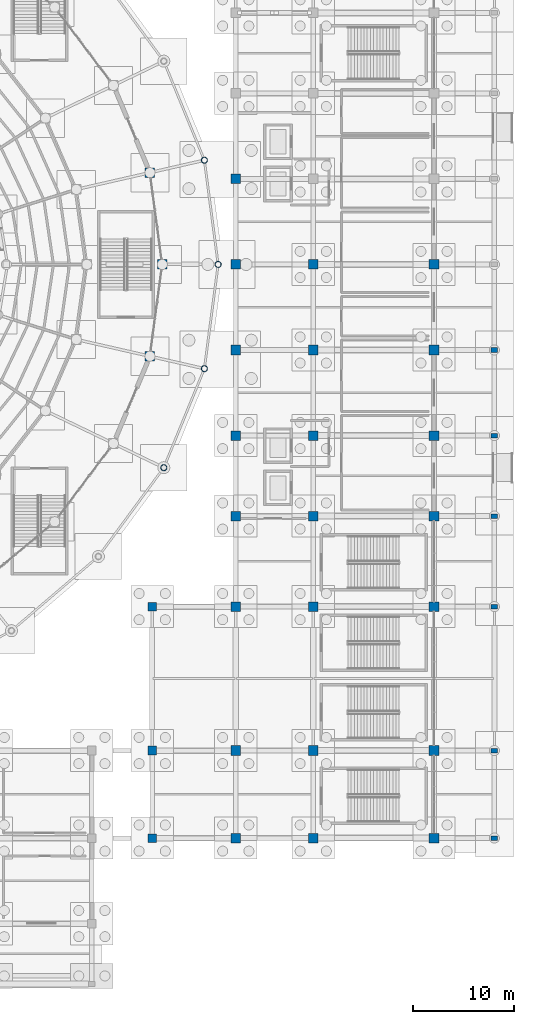
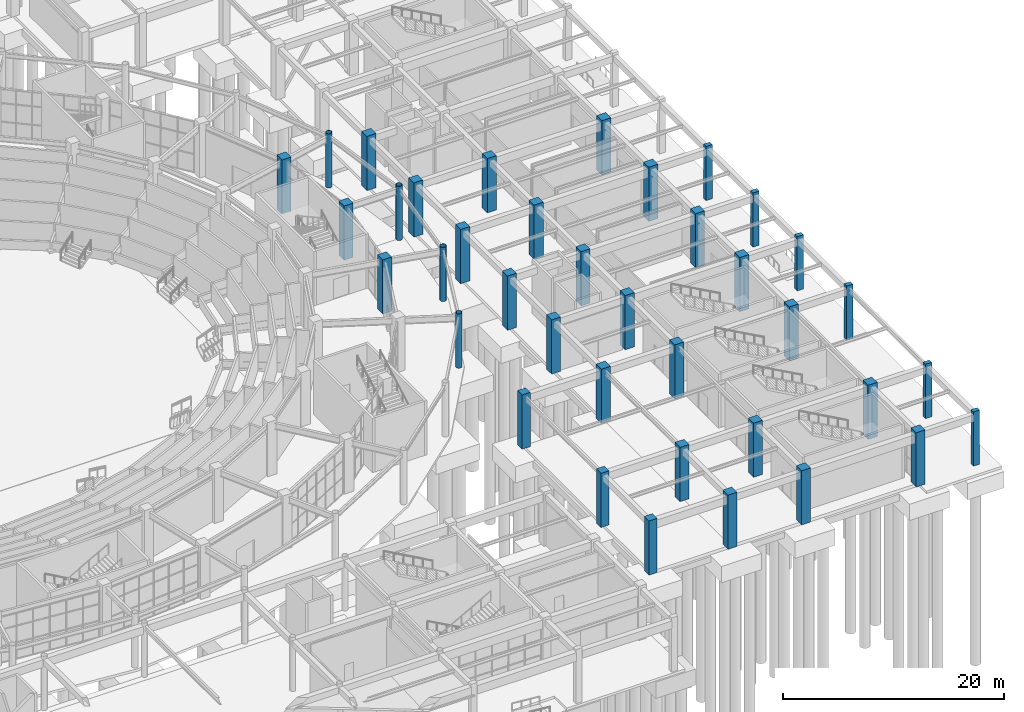
# One storey, part 18 of 121: 38 columns.
"""IFC4 building model written with IfcOpenShell, lengths in metres."""

from ifc_helpers import new_model, si_unit, direction, frame, origin, origin_2d, place, context, subcontext, project, spatial, rectangle, hollow_circle, extrude, material, material_profile, profile_set, type_object, element, save


model = new_model("IFC4")

# Units and contexts
model_context = context("Model", 3, precision=1e-05, world=origin(), true_north=direction((0.0, 1.0)))
body_context = subcontext(model_context, "Body", "Model", "MODEL_VIEW")
ifc_project = project(units=[si_unit("LENGTHUNIT", "METRE"), si_unit("AREAUNIT", "SQUARE_METRE"), si_unit("VOLUMEUNIT", "CUBIC_METRE"), si_unit("PLANEANGLEUNIT", "RADIAN"), si_unit("MASSUNIT", "GRAM", prefix="KILO")], contexts=[model_context])

# Site, building, storey
site_placement = place(None, origin())
site = spatial("IfcSite", under=ifc_project, at=site_placement, CompositionType="ELEMENT")
building_placement = place(site_placement, origin())
building = spatial("IfcBuilding", under=site, at=building_placement, Name="Cuetzalor Civic Arena", CompositionType="ELEMENT")
storey_placement = place(building_placement, origin())
storey = spatial("IfcBuildingStorey", under=building, at=storey_placement, Name="L00", CompositionType="ELEMENT", Elevation=0.0)

# Columns
ifc_material_1 = material(Name="Concrete C40/50", Category="concrete")
ifc_material_profile_1 = material_profile(ifc_material_1, rectangle(XDim=0.64990234375, YDim=0.449951171875, at=origin_2d()), Name="RC 650x450")
ifc_profile_set_1 = profile_set([ifc_material_profile_1], Name="Concrete C40/50")
column_type_1 = type_object("IfcColumnType", Name="ArcadePilaster_650x450", PredefinedType="PILASTER", material=ifc_profile_set_1)
for number, where, z_axis, x_axis, name in (
    (1, (82.0, -57.0, 0.0), (0.0, 0.0, 1.0), (1.0, 0.0, 0.0), "Column V4E-C-04-01 L00"),
    (2, (82.0, -48.300048828125, 0.0), (0.0, 0.0, 1.0), (1.0, 0.0, 0.0), "Column V4E-C-04-02 L00"),
    (3, (82.0, -34.0, 0.0), (0.0, 0.0, 1.0), (1.0, 0.0, 0.0), "Column V4E-C-04-03 L00"),
    (4, (82.0, -25.0, 0.0), (0.0, 0.0, 1.0), (1.0, 0.0, 0.0), "Column V4E-C-04-04 L00"),
    (5, (82.0, -17.0, 0.0), (0.0, 0.0, 1.0), (1.0, 0.0, 0.0), "Column V4E-C-04-05 L00"),
    (6, (82.0, -8.5, 0.0), (0.0, 0.0, 1.0), (1.0, 0.0, 0.0), "Column V4E-C-04-06 L00"),
):
    element("IfcColumn", number, at=place(storey_placement, frame(where, z_axis=z_axis, x_axis=x_axis)), inside=storey, type_object=column_type_1, Name=name, PredefinedType="PILASTER", context=body_context, shape_type="SweptSolid", body=[
        extrude(rectangle(XDim=0.64990234375, YDim=0.449951171875, at=origin_2d()), origin(), (0.0, 0.0, 1.0), 6.0),
    ])
ifc_material_2 = material(Name="Concrete C40/50", Category="concrete")
ifc_material_profile_2 = material_profile(ifc_material_2, rectangle(XDim=0.85009765625, YDim=0.85009765625, at=origin_2d()), Name="RC 850x850")
ifc_profile_set_2 = profile_set([ifc_material_profile_2], Name="Concrete C40/50")
column_type_2 = type_object("IfcColumnType", Name="ConcreteColumn_850", PredefinedType="COLUMN", material=ifc_profile_set_2)
for number, where, z_axis, x_axis, name in (
    (7, (48.0, -57.0, 0.0), (0.0, 0.0, 1.0), (1.0, 0.0, 0.0), "Column V4E-RET-01 L00"),
    (8, (48.0, -48.300048828125, 0.0), (0.0, 0.0, 1.0), (1.0, 0.0, 0.0), "Column V4E-RET-02 L00"),
    (9, (48.0, -34.0, 0.0), (0.0, 0.0, 1.0), (1.0, 0.0, 0.0), "Column V4E-RET-03 L00"),
):
    element("IfcColumn", number, at=place(storey_placement, frame(where, z_axis=z_axis, x_axis=x_axis)), inside=storey, type_object=column_type_2, Name=name, PredefinedType="COLUMN", context=body_context, shape_type="SweptSolid", body=[
        extrude(rectangle(XDim=0.85009765625, YDim=0.85009765625, at=origin_2d()), origin(), (0.0, 0.0, 1.0), 6.0),
    ])
ifc_material_3 = material(Name="Concrete C40/50", Category="concrete")
ifc_material_profile_3 = material_profile(ifc_material_3, rectangle(XDim=0.949951171875, YDim=0.949951171875, at=origin_2d()), Name="RC 950x950")
ifc_profile_set_3 = profile_set([ifc_material_profile_3], Name="Concrete C40/50")
column_type_3 = type_object("IfcColumnType", Name="ConcreteColumn_950", PredefinedType="COLUMN", material=ifc_profile_set_3)
for number, where, z_axis, x_axis, name in (
    (10, (49.0, 0.0, 0.0), (0.0, 0.0, 1.0), (1.0, 0.0, 0.0), "Column V1-REC-01 L00"),
    (11, (47.771484375, 9.123291015625, 0.0), (0.0, 0.0, 1.0), (1.0, 0.0, 0.0), "Column V1-REC-02 L00"),
    (12, (47.771484375, -9.123291015625, 0.0), (0.0, 0.0, 1.0), (1.0, 0.0, 0.0), "Column V1-REC-28 L00"),
    (13, (56.300048828125, -57.0, 0.0), (0.0, 0.0, 1.0), (1.0, 0.0, 0.0), "Column V4E-C-01-01 L00"),
    (14, (56.300048828125, -48.300048828125, 0.0), (0.0, 0.0, 1.0), (1.0, 0.0, 0.0), "Column V4E-C-01-02 L00"),
    (15, (56.300048828125, -34.0, 0.0), (0.0, 0.0, 1.0), (1.0, 0.0, 0.0), "Column V4E-C-01-03 L00"),
    (16, (56.300048828125, -25.0, 0.0), (0.0, 0.0, 1.0), (1.0, 0.0, 0.0), "Column V4E-C-01-04 L00"),
    (17, (56.300048828125, -17.0, 0.0), (0.0, 0.0, 1.0), (1.0, 0.0, 0.0), "Column V4E-C-01-05 L00"),
    (18, (56.300048828125, -8.5, 0.0), (0.0, 0.0, 1.0), (1.0, 0.0, 0.0), "Column V4E-C-01-06 L00"),
    (19, (56.300048828125, 0.0, 0.0), (0.0, 0.0, 1.0), (1.0, 0.0, 0.0), "Column V4E-C-01-07 L00"),
    (20, (56.300048828125, 8.5, 0.0), (0.0, 0.0, 1.0), (1.0, 0.0, 0.0), "Column V4E-C-01-08 L00"),
    (21, (64.0, -57.0, 0.0), (0.0, 0.0, 1.0), (1.0, 0.0, 0.0), "Column V4E-C-02-01 L00"),
    (22, (64.0, -48.300048828125, 0.0), (0.0, 0.0, 1.0), (1.0, 0.0, 0.0), "Column V4E-C-02-02 L00"),
    (23, (64.0, -34.0, 0.0), (0.0, 0.0, 1.0), (1.0, 0.0, 0.0), "Column V4E-C-02-03 L00"),
    (24, (64.0, -25.0, 0.0), (0.0, 0.0, 1.0), (1.0, 0.0, 0.0), "Column V4E-C-02-04 L00"),
    (25, (64.0, -17.0, 0.0), (0.0, 0.0, 1.0), (1.0, 0.0, 0.0), "Column V4E-C-02-05 L00"),
    (26, (64.0, -8.5, 0.0), (0.0, 0.0, 1.0), (1.0, 0.0, 0.0), "Column V4E-C-02-06 L00"),
    (27, (64.0, 0.0, 0.0), (0.0, 0.0, 1.0), (1.0, 0.0, 0.0), "Column V4E-C-02-07 L00"),
    (28, (76.0, -57.0, 0.0), (0.0, 0.0, 1.0), (1.0, 0.0, 0.0), "Column V4E-C-03-01 L00"),
    (29, (76.0, -48.300048828125, 0.0), (0.0, 0.0, 1.0), (1.0, 0.0, 0.0), "Column V4E-C-03-02 L00"),
    (30, (76.0, -34.0, 0.0), (0.0, 0.0, 1.0), (1.0, 0.0, 0.0), "Column V4E-C-03-03 L00"),
    (31, (76.0, -25.0, 0.0), (0.0, 0.0, 1.0), (1.0, 0.0, 0.0), "Column V4E-C-03-04 L00"),
    (32, (76.0, -17.0, 0.0), (0.0, 0.0, 1.0), (1.0, 0.0, 0.0), "Column V4E-C-03-05 L00"),
    (33, (76.0, -8.5, 0.0), (0.0, 0.0, 1.0), (1.0, 0.0, 0.0), "Column V4E-C-03-06 L00"),
    (34, (76.0, 0.0, 0.0), (0.0, 0.0, 1.0), (1.0, 0.0, 0.0), "Column V4E-C-03-07 L00"),
):
    element("IfcColumn", number, at=place(storey_placement, frame(where, z_axis=z_axis, x_axis=x_axis)), inside=storey, type_object=column_type_3, Name=name, PredefinedType="COLUMN", context=body_context, shape_type="SweptSolid", body=[
        extrude(rectangle(XDim=0.949951171875, YDim=0.949951171875, at=origin_2d()), origin(), (0.0, 0.0, 1.0), 6.0),
    ])
ifc_material_4 = material(Name="Steel S355", Category="steel")
ifc_material_profile_4 = material_profile(ifc_material_4, hollow_circle(Radius=0.304931640625, WallThickness=0.02490234375, at=origin_2d()), Name="CHS 610x25")
ifc_profile_set_4 = profile_set([ifc_material_profile_4], Name="Steel S355")
column_type_4 = type_object("IfcColumnType", Name="SteelDomePylon_CHS610", PredefinedType="COLUMN", material=ifc_profile_set_4)
for number, where, z_axis, x_axis, name in (
    (35, (54.550048828125, 0.0, 0.0), (0.0, 0.0, 1.0), (1.0, 0.0, 0.0), "Column V1-PYL-01 L00"),
    (36, (53.182373046875, 10.3583984375, 0.0), (0.0, 0.0, 1.0), (1.0, 0.0, 0.0), "Column V1-PYL-02 L00"),
    (37, (49.14794921875, -20.197265625, 0.0), (0.0, 0.0, 1.0), (1.0, 0.0, 0.0), "Column V1-PYL-27 L00"),
    (38, (53.182373046875, -10.3583984375, 0.0), (0.0, 0.0, 1.0), (1.0, 0.0, 0.0), "Column V1-PYL-28 L00"),
):
    element("IfcColumn", number, at=place(storey_placement, frame(where, z_axis=z_axis, x_axis=x_axis)), inside=storey, type_object=column_type_4, Name=name, PredefinedType="COLUMN", context=body_context, shape_type="SweptSolid", body=[
        extrude(hollow_circle(Radius=0.304931640625, WallThickness=0.02490234375, at=origin_2d()), origin(), (0.0, 0.0, 1.0), 6.0),
    ])

save(model, "model.ifc")
